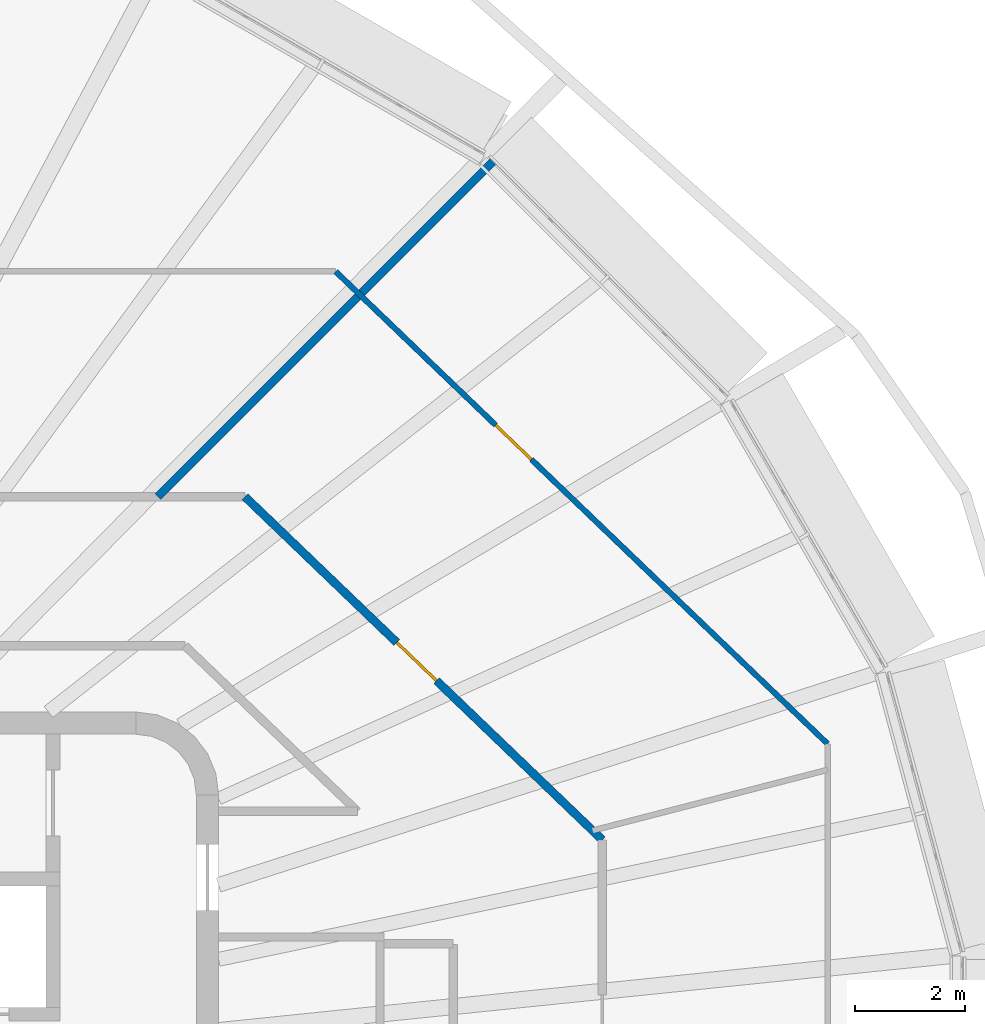
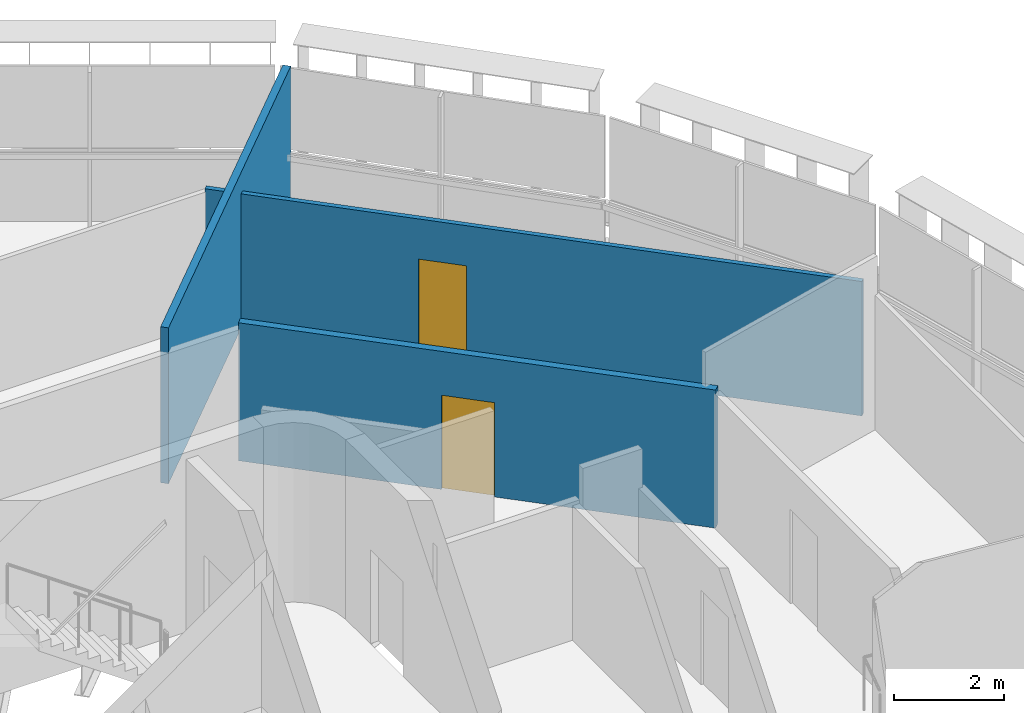
# One storey, part 11 of 18: 3 walls, 2 doors, 2 openings.
"""IFC4 building model written with IfcOpenShell, lengths in metres."""

from ifc_helpers import new_model, si_unit, direction, frame, frame_2d, origin, place, context, subcontext, project, spatial, rectangle, extrude, material, layer, layer_set, type_object, element, fill, save


model = new_model("IFC4")

# Units and contexts
model_context = context("Model", 3, precision=1e-05, world=origin(), true_north=direction((0.0, 1.0)))
body_context = subcontext(model_context, "Body", "Model", "MODEL_VIEW")
ifc_project = project(units=[si_unit("LENGTHUNIT", "METRE"), si_unit("AREAUNIT", "SQUARE_METRE"), si_unit("VOLUMEUNIT", "CUBIC_METRE"), si_unit("PLANEANGLEUNIT", "RADIAN"), si_unit("MASSUNIT", "GRAM", prefix="KILO")], contexts=[model_context])

# Site, building, storey
site_placement = place(None, origin())
site = spatial("IfcSite", under=ifc_project, at=site_placement, CompositionType="ELEMENT")
building_placement = place(site_placement, origin())
building = spatial("IfcBuilding", under=site, at=building_placement, Name="Sahrelin Media Tower", CompositionType="ELEMENT")
storey_placement = place(building_placement, frame((0.0, 0.0, 312.39990234375)))
storey = spatial("IfcBuildingStorey", under=building, at=storey_placement, Name="L69", CompositionType="ELEMENT", Elevation=312.39990234375)

# Wall, opening, door
ifc_material_1 = material(Name="Fire-rated gypsum board partition")
ifc_layer_1 = layer(ifc_material_1, 0.14990234375)
ifc_layer_set_1 = layer_set([ifc_layer_1], Name="Fire-rated partition 150")
wall_type_1 = type_object("IfcWallType", Name="Fire-rated partition 150", PredefinedType="PARTITIONING", material=ifc_layer_set_1)
wall_1_placement = place(storey_placement, frame((12.47802734375, 10.89892578125, 0.0), z_axis=(0.0, 0.0, 1.0), x_axis=(0.721299239471, -0.692623568137, 0.0)))
wall_1 = element("IfcWall", 1, at=wall_1_placement, inside=storey, type_object=wall_type_1, Name="Wall", PredefinedType="PARTITIONING", context=body_context, shape_type="SweptSolid", body=[
    extrude(rectangle(XDim=8.9736328125, YDim=0.14990234375, at=frame_2d((4.48681640625, 0.0))), origin(), (0.0, 0.0, 1.0), 3.076171875),
])
opening_1_placement = place(wall_1_placement, frame((3.81298828125, 0.0, 0.0)))
opening_1 = element("IfcOpeningElement", 2, at=opening_1_placement, cuts=wall_1, Name="Opening L69-D32", PredefinedType="OPENING", context=body_context, shape_type="SweptSolid", body=[
    extrude(rectangle(XDim=1.0, YDim=2.10009765625, at=frame_2d((0.5, 1.050048828125))), frame((0.0, 0.074951171875, 0.0), z_axis=(0.0, -1.0, 0.0), x_axis=(1.0, 0.0, 0.0)), (0.0, 0.0, 1.0), 0.14990234375),
])
ifc_material_2 = material(Name="Steel fire door leaf", Category="steel")
door_type_1 = type_object("IfcDoorType", Name="Fire door 1000 x 2100 EI 60", OperationType="NOTDEFINED", PredefinedType="DOOR", material=ifc_material_2)
door_1_placement = place(opening_1_placement, origin())
door_1 = element("IfcDoor", 3, at=door_1_placement, inside=storey, type_object=door_type_1, Name="Fire door", OperationType="SINGLE_SWING_RIGHT", OverallHeight=2.10009765625, OverallWidth=1.0, PredefinedType="DOOR", context=body_context, shape_type="SweptSolid", body=[
    extrude(rectangle(XDim=1.0, YDim=2.10009765625, at=frame_2d((0.5, 1.050048828125))), frame((0.0, 0.02490234375, 0.0), z_axis=(0.0, -1.0, 0.0), x_axis=(1.0, 0.0, 0.0)), (0.0, 0.0, 1.0), 0.050048828125),
])
fill(opening_1, door_1)

# Wall
wall_2_placement = place(storey_placement, frame((10.89990234375, 10.89892578125, 0.0), z_axis=(0.0, 0.0, 1.0), x_axis=(0.707106781187, 0.707106781187, 0.0)))
element("IfcWall", 4, at=wall_2_placement, inside=storey, type_object=wall_type_1, Name="Wall", PredefinedType="PARTITIONING", context=body_context, shape_type="SweptSolid", body=[
    extrude(rectangle(XDim=8.6240234375, YDim=0.14990234375, at=frame_2d((4.31201171875, 0.0))), origin(), (0.0, 0.0, 1.0), 3.47509765625),
])

# Wall, opening, door
ifc_material_3 = material(Name="Gypsum board partition")
ifc_layer_2 = layer(ifc_material_3, 0.10009765625)
ifc_layer_set_2 = layer_set([ifc_layer_2], Name="Partition 100")
wall_type_2 = type_object("IfcWallType", Name="Partition 100", PredefinedType="PARTITIONING", material=ifc_layer_set_2)
wall_3_placement = place(storey_placement, frame((14.1201171875, 14.97900390625, 0.0), z_axis=(0.0, 0.0, 1.0), x_axis=(0.721327687229, -0.69259394138, 0.0)))
wall_3 = element("IfcWall", 5, at=wall_3_placement, inside=storey, type_object=wall_type_2, Name="Wall", PredefinedType="PARTITIONING", context=body_context, shape_type="SweptSolid", body=[
    extrude(rectangle(XDim=12.354248046875, YDim=0.10009765625, at=frame_2d((6.17724609375, 0.0))), origin(), (0.0, 0.0, 1.0), 2.995361328125),
])
opening_2_placement = place(wall_3_placement, frame((4.01708984375, 0.0, 0.0)))
opening_2 = element("IfcOpeningElement", 6, at=opening_2_placement, cuts=wall_3, Name="Opening L69-D33", PredefinedType="OPENING", context=body_context, shape_type="SweptSolid", body=[
    extrude(rectangle(XDim=0.89990234375, YDim=2.10009765625, at=frame_2d((0.449951171875, 1.050048828125))), frame((0.0, 0.050048828125, 0.0), z_axis=(0.0, -1.0, 0.0), x_axis=(1.0, 0.0, 0.0)), (0.0, 0.0, 1.0), 0.10009765625),
])
ifc_material_4 = material(Name="Timber door leaf", Category="wood")
door_type_2 = type_object("IfcDoorType", Name="Single door 900 x 2100", OperationType="NOTDEFINED", PredefinedType="DOOR", material=ifc_material_4)
door_2_placement = place(opening_2_placement, origin())
door_2 = element("IfcDoor", 7, at=door_2_placement, inside=storey, type_object=door_type_2, Name="Single door", OperationType="SINGLE_SWING_RIGHT", OverallHeight=2.10009765625, OverallWidth=0.89990234375, PredefinedType="DOOR", context=body_context, shape_type="SweptSolid", body=[
    extrude(rectangle(XDim=0.89990234375, YDim=2.10009765625, at=frame_2d((0.449951171875, 1.050048828125))), frame((0.0, 0.02490234375, 0.0), z_axis=(0.0, -1.0, 0.0), x_axis=(1.0, 0.0, 0.0)), (0.0, 0.0, 1.0), 0.050048828125),
])
fill(opening_2, door_2)

save(model, "model.ifc")
